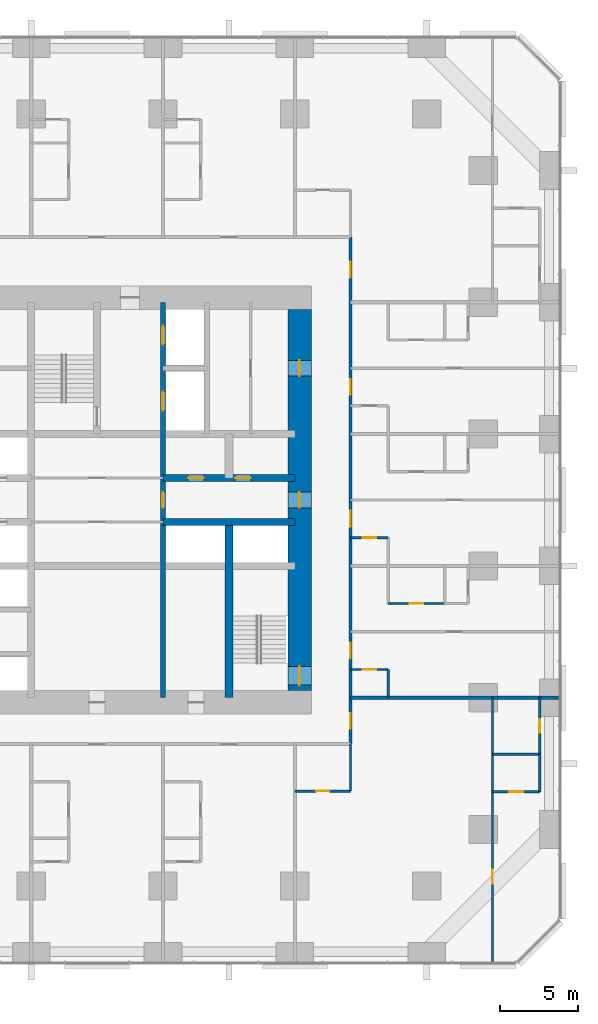
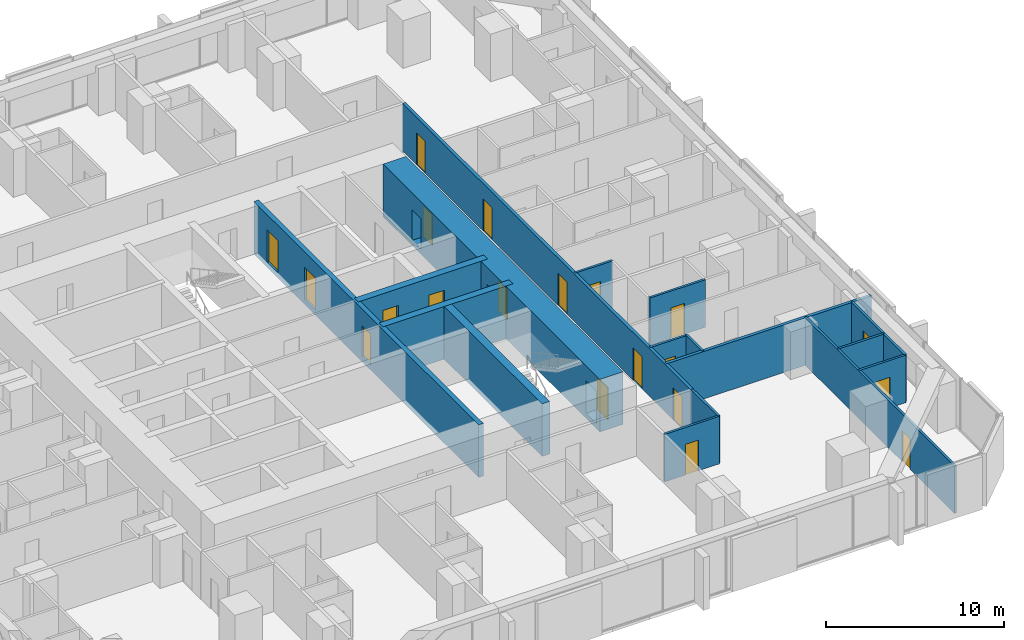
# One storey, part 13 of 17: 20 doors, 18 walls, 20 openings.
"""IFC4 building model written with IfcOpenShell, lengths in metres."""

from ifc_helpers import new_model, si_unit, direction, frame, frame_2d, origin, place, context, subcontext, project, spatial, rectangle, extrude, material, layer, layer_set, type_object, element, fill, save


model = new_model("IFC4")

# Units and contexts
model_context = context("Model", 3, precision=1e-05, world=origin(), true_north=direction((0.0, 1.0)))
body_context = subcontext(model_context, "Body", "Model", "MODEL_VIEW")
ifc_project = project(units=[si_unit("LENGTHUNIT", "METRE"), si_unit("AREAUNIT", "SQUARE_METRE"), si_unit("VOLUMEUNIT", "CUBIC_METRE"), si_unit("PLANEANGLEUNIT", "RADIAN"), si_unit("MASSUNIT", "GRAM", prefix="KILO")], contexts=[model_context])

# Site, building, storey
site_placement = place(None, origin())
site = spatial("IfcSite", under=ifc_project, at=site_placement, CompositionType="ELEMENT")
building_placement = place(site_placement, origin())
building = spatial("IfcBuilding", under=site, at=building_placement, Name="Dunama Terrace Hotel", CompositionType="ELEMENT")
storey_placement = place(building_placement, frame((0.0, 0.0, 59.39990234375)))
storey = spatial("IfcBuildingStorey", under=building, at=storey_placement, Name="L14", CompositionType="ELEMENT", Elevation=59.39990234375)

# Walls
ifc_material_1 = material(Name="Gypsum board partition", Category="masonry")
ifc_layer_1 = layer(ifc_material_1, 0.14990234375)
ifc_layer_set_1 = layer_set([ifc_layer_1], Name="Bathroom partition 150")
wall_type_1 = type_object("IfcWallType", Name="Bathroom partition 150", PredefinedType="PARTITIONING", material=ifc_layer_set_1)
wall_1_placement = place(storey_placement, frame((45.550048828125, 10.85009765625, 0.0), z_axis=(0.0, 0.0, 1.0), x_axis=(0.0, 1.0, 0.0)))
element("IfcWall", 1, at=wall_1_placement, inside=storey, type_object=wall_type_1, Name="Bathroom partition 150 L14", PredefinedType="PARTITIONING", context=body_context, shape_type="SweptSolid", body=[
    extrude(rectangle(XDim=3.0, YDim=0.14990234375, at=frame_2d((1.5, 0.0))), origin(), (0.0, 0.0, 1.0), 3.25),
])
wall_2_placement = place(storey_placement, frame((47.949951171875, 16.800048828125, 0.0), z_axis=(0.0, 0.0, 1.0), x_axis=(0.0, 1.0, 0.0)))
element("IfcWall", 2, at=wall_2_placement, inside=storey, type_object=wall_type_1, Name="Bathroom partition 150 L14", PredefinedType="PARTITIONING", context=body_context, shape_type="SweptSolid", body=[
    extrude(rectangle(XDim=1.800048828125, YDim=0.14990234375, at=frame_2d((0.89990234375, 0.0))), origin(), (0.0, 0.0, 1.0), 3.25),
])

# Wall, opening, door
wall_3_placement = place(storey_placement, frame((57.60009765625, 13.199951171875, 0.0), z_axis=(0.0, 0.0, 1.0), x_axis=(0.0, 1.0, 0.0)))
wall_3 = element("IfcWall", 3, at=wall_3_placement, inside=storey, type_object=wall_type_1, Name="Bathroom partition 150 L14", PredefinedType="PARTITIONING", context=body_context, shape_type="SweptSolid", body=[
    extrude(rectangle(XDim=3.60009765625, YDim=0.14990234375, at=frame_2d((1.800048828125, 0.0))), origin(), (0.0, 0.0, 1.0), 3.25),
])
opening_1_placement = place(wall_3_placement, frame((1.375, 0.0, 0.0)))
opening_1 = element("IfcOpeningElement", 4, at=opening_1_placement, cuts=wall_3, Name="Opening L13-14-065", PredefinedType="OPENING", context=body_context, shape_type="SweptSolid", body=[
    extrude(rectangle(XDim=0.85009765625, YDim=2.10009765625, at=frame_2d((0.425048828125, 1.050048828125))), frame((0.0, 0.0849609375, 0.0), z_axis=(0.0, -1.0, 0.0), x_axis=(1.0, 0.0, 0.0)), (0.0, 0.0, 1.0), 0.169921875),
])
ifc_material_2 = material(Name="Timber door with steel frame", Category="steel")
door_type_1 = type_object("IfcDoorType", Name="Bathroom door 850", OperationType="SINGLE_SWING_LEFT", PredefinedType="DOOR", material=ifc_material_2)
door_1_placement = place(opening_1_placement, origin())
door_1 = element("IfcDoor", 5, at=door_1_placement, inside=storey, type_object=door_type_1, Name="Door to en-suite bathroom L13-14-065, type D2", OperationType="SINGLE_SWING_RIGHT", OverallHeight=2.10009765625, OverallWidth=0.85009765625, PredefinedType="DOOR", context=body_context, shape_type="SweptSolid", body=[
    extrude(rectangle(XDim=0.85009765625, YDim=2.10009765625, at=frame_2d((0.425048828125, 1.050048828125))), frame((0.0, 0.02490234375, 0.0), z_axis=(0.0, -1.0, 0.0), x_axis=(1.0, 0.0, 0.0)), (0.0, 0.0, 1.0), 0.050048828125),
])
fill(opening_1, door_1)

wall_4_placement = place(storey_placement, frame((42.0, 10.85009765625, 0.0), z_axis=(0.0, 0.0, 1.0), x_axis=(1.0, 0.0, 0.0)))
wall_4 = element("IfcWall", 6, at=wall_4_placement, inside=storey, type_object=wall_type_1, Name="Bathroom partition 150 L14", PredefinedType="PARTITIONING", context=body_context, shape_type="SweptSolid", body=[
    extrude(rectangle(XDim=3.550048828125, YDim=0.14990234375, at=frame_2d((1.77490234375, 0.0))), origin(), (0.0, 0.0, 1.0), 3.25),
])
opening_2_placement = place(wall_4_placement, frame((1.35009765625, 0.0, 0.0)))
opening_2 = element("IfcOpeningElement", 7, at=opening_2_placement, cuts=wall_4, Name="Opening L13-14-063", PredefinedType="OPENING", context=body_context, shape_type="SweptSolid", body=[
    extrude(rectangle(XDim=0.85009765625, YDim=2.10009765625, at=frame_2d((0.425048828125, 1.050048828125))), frame((0.0, 0.0849609375, 0.0), z_axis=(0.0, -1.0, 0.0), x_axis=(1.0, 0.0, 0.0)), (0.0, 0.0, 1.0), 0.169921875),
])
door_2_placement = place(opening_2_placement, origin())
door_2 = element("IfcDoor", 8, at=door_2_placement, inside=storey, type_object=door_type_1, Name="Door to powder room L13-14-063, type D2", OperationType="SINGLE_SWING_LEFT", OverallHeight=2.10009765625, OverallWidth=0.85009765625, PredefinedType="DOOR", context=body_context, shape_type="SweptSolid", body=[
    extrude(rectangle(XDim=0.85009765625, YDim=2.10009765625, at=frame_2d((0.425048828125, 1.050048828125))), frame((0.0, 0.02490234375, 0.0), z_axis=(0.0, -1.0, 0.0), x_axis=(1.0, 0.0, 0.0)), (0.0, 0.0, 1.0), 0.050048828125),
])
fill(opening_2, door_2)

wall_5_placement = place(storey_placement, frame((45.550048828125, 18.60009765625, 0.0), z_axis=(0.0, 0.0, 1.0), x_axis=(1.0, 0.0, 0.0)))
wall_5 = element("IfcWall", 9, at=wall_5_placement, inside=storey, type_object=wall_type_1, Name="Bathroom partition 150 L14", PredefinedType="PARTITIONING", context=body_context, shape_type="SweptSolid", body=[
    extrude(rectangle(XDim=2.39990234375, YDim=0.14990234375, at=frame_2d((1.199951171875, 0.0))), origin(), (0.0, 0.0, 1.0), 3.25),
])
opening_3_placement = place(wall_5_placement, frame((0.77490234375, 0.0, 0.0)))
opening_3 = element("IfcOpeningElement", 10, at=opening_3_placement, cuts=wall_5, Name="Opening L13-14-019", PredefinedType="OPENING", context=body_context, shape_type="SweptSolid", body=[
    extrude(rectangle(XDim=0.85009765625, YDim=2.10009765625, at=frame_2d((0.425048828125, 1.050048828125))), frame((0.0, 0.0849609375, 0.0), z_axis=(0.0, -1.0, 0.0), x_axis=(1.0, 0.0, 0.0)), (0.0, 0.0, 1.0), 0.169921875),
])
door_3_placement = place(opening_3_placement, frame((0.85009765625, 0.0, 0.0), z_axis=(0.0, 0.0, 1.0), x_axis=(-1.0, 0.0, 0.0)))
door_3 = element("IfcDoor", 11, at=door_3_placement, inside=storey, type_object=door_type_1, Name="Door to powder room L13-14-019, type D2", OperationType="SINGLE_SWING_RIGHT", OverallHeight=2.10009765625, OverallWidth=0.85009765625, PredefinedType="DOOR", context=body_context, shape_type="SweptSolid", body=[
    extrude(rectangle(XDim=0.85009765625, YDim=2.10009765625, at=frame_2d((0.425048828125, 1.050048828125))), frame((0.0, 0.025146484375, 0.0), z_axis=(0.0, -1.0, 0.0), x_axis=(1.0, 0.0, 0.0)), (0.0, 0.0, 1.0), 0.050048828125),
])
fill(opening_3, door_3)

wall_6_placement = place(storey_placement, frame((47.949951171875, 22.800048828125, 0.0), z_axis=(0.0, 0.0, 1.0), x_axis=(1.0, 0.0, 0.0)))
wall_6 = element("IfcWall", 12, at=wall_6_placement, inside=storey, type_object=wall_type_1, Name="Bathroom partition 150 L14", PredefinedType="PARTITIONING", context=body_context, shape_type="SweptSolid", body=[
    extrude(rectangle(XDim=3.60009765625, YDim=0.14990234375, at=frame_2d((1.800048828125, 0.0))), origin(), (0.0, 0.0, 1.0), 3.25),
])
opening_4_placement = place(wall_6_placement, frame((1.375, 0.0, 0.0)))
opening_4 = element("IfcOpeningElement", 13, at=opening_4_placement, cuts=wall_6, Name="Opening L13-14-021", PredefinedType="OPENING", context=body_context, shape_type="SweptSolid", body=[
    extrude(rectangle(XDim=0.85009765625, YDim=2.10009765625, at=frame_2d((0.425048828125, 1.050048828125))), frame((0.0, 0.0849609375, 0.0), z_axis=(0.0, -1.0, 0.0), x_axis=(1.0, 0.0, 0.0)), (0.0, 0.0, 1.0), 0.169921875),
])
door_4_placement = place(opening_4_placement, origin())
door_4 = element("IfcDoor", 14, at=door_4_placement, inside=storey, type_object=door_type_1, Name="Door to en-suite bathroom L13-14-021, type D2", OperationType="SINGLE_SWING_RIGHT", OverallHeight=2.10009765625, OverallWidth=0.85009765625, PredefinedType="DOOR", context=body_context, shape_type="SweptSolid", body=[
    extrude(rectangle(XDim=0.85009765625, YDim=2.10009765625, at=frame_2d((0.425048828125, 1.050048828125))), frame((0.0, 0.02490234375, 0.0), z_axis=(0.0, -1.0, 0.0), x_axis=(1.0, 0.0, 0.0)), (0.0, 0.0, 1.0), 0.050048828125),
])
fill(opening_4, door_4)

wall_7_placement = place(storey_placement, frame((45.550048828125, 27.0, 0.0), z_axis=(0.0, 0.0, 1.0), x_axis=(1.0, 0.0, 0.0)))
wall_7 = element("IfcWall", 15, at=wall_7_placement, inside=storey, type_object=wall_type_1, Name="Bathroom partition 150 L14", PredefinedType="PARTITIONING", context=body_context, shape_type="SweptSolid", body=[
    extrude(rectangle(XDim=2.39990234375, YDim=0.14990234375, at=frame_2d((1.199951171875, 0.0))), origin(), (0.0, 0.0, 1.0), 3.25),
])
opening_5_placement = place(wall_7_placement, frame((0.77490234375, 0.0, 0.0)))
opening_5 = element("IfcOpeningElement", 16, at=opening_5_placement, cuts=wall_7, Name="Opening L13-14-024", PredefinedType="OPENING", context=body_context, shape_type="SweptSolid", body=[
    extrude(rectangle(XDim=0.85009765625, YDim=2.10009765625, at=frame_2d((0.425048828125, 1.050048828125))), frame((0.0, 0.0849609375, 0.0), z_axis=(0.0, -1.0, 0.0), x_axis=(1.0, 0.0, 0.0)), (0.0, 0.0, 1.0), 0.169921875),
])
door_5_placement = place(opening_5_placement, frame((0.85009765625, 0.0, 0.0), z_axis=(0.0, 0.0, 1.0), x_axis=(-1.0, 0.0, 0.0)))
door_5 = element("IfcDoor", 17, at=door_5_placement, inside=storey, type_object=door_type_1, Name="Door to powder room L13-14-024, type D2", OperationType="SINGLE_SWING_RIGHT", OverallHeight=2.10009765625, OverallWidth=0.85009765625, PredefinedType="DOOR", context=body_context, shape_type="SweptSolid", body=[
    extrude(rectangle(XDim=0.85009765625, YDim=2.10009765625, at=frame_2d((0.425048828125, 1.050048828125))), frame((0.0, 0.025146484375, 0.0), z_axis=(0.0, -1.0, 0.0), x_axis=(1.0, 0.0, 0.0)), (0.0, 0.0, 1.0), 0.050048828125),
])
fill(opening_5, door_5)

# Wall, openings, doors
ifc_material_3 = material(Name="Concrete C50/60", Category="concrete")
ifc_layer_2 = layer(ifc_material_3, 0.300048828125)
ifc_layer_set_2 = layer_set([ifc_layer_2], Name="Core inner wall 300")
wall_type_2 = type_object("IfcWallType", Name="Core inner wall 300", PredefinedType="SHEAR", material=ifc_layer_set_2)
wall_8_placement = place(storey_placement, frame((33.60009765625, 16.800048828125, -0.349853515625), z_axis=(0.0, 0.0, 1.0), x_axis=(0.0, 1.0, 0.0)))
wall_8 = element("IfcWall", 18, at=wall_8_placement, inside=storey, type_object=wall_type_2, Name="Core inner wall 300 L14", PredefinedType="SHEAR", context=body_context, shape_type="SweptSolid", body=[
    extrude(rectangle(XDim=25.199951171875, YDim=0.300048828125, at=frame_2d((12.60009765625, 0.0))), origin(), (0.0, 0.0, 1.0), 3.599853515625),
])
opening_6_placement = place(wall_8_placement, frame((22.5, 0.0, 0.35009765625)))
opening_6 = element("IfcOpeningElement", 19, at=opening_6_placement, cuts=wall_8, Name="Opening L13-14-007", PredefinedType="OPENING", context=body_context, shape_type="SweptSolid", body=[
    extrude(rectangle(XDim=1.199951171875, YDim=2.199951171875, at=frame_2d((0.60009765625, 1.10009765625))), frame((0.0, 0.159912109375, 0.0), z_axis=(0.0, -1.0, 0.0), x_axis=(1.0, 0.0, 0.0)), (0.0, 0.0, 1.0), 0.320068359375),
])
opening_7_placement = place(wall_8_placement, frame((18.300048828125, 0.0, 0.35009765625)))
opening_7 = element("IfcOpeningElement", 20, at=opening_7_placement, cuts=wall_8, Name="Opening L13-14-008", PredefinedType="OPENING", context=body_context, shape_type="SweptSolid", body=[
    extrude(rectangle(XDim=1.199951171875, YDim=2.199951171875, at=frame_2d((0.60009765625, 1.10009765625))), frame((0.0, 0.159912109375, 0.0), z_axis=(0.0, -1.0, 0.0), x_axis=(1.0, 0.0, 0.0)), (0.0, 0.0, 1.0), 0.320068359375),
])
opening_8_placement = place(wall_8_placement, frame((12.10009765625, 0.0, 0.35009765625)))
opening_8 = element("IfcOpeningElement", 21, at=opening_8_placement, cuts=wall_8, Name="Opening L13-14-081", PredefinedType="OPENING", context=body_context, shape_type="SweptSolid", body=[
    extrude(rectangle(XDim=1.0, YDim=2.10009765625, at=frame_2d((0.5, 1.050048828125))), frame((0.0, 0.159912109375, 0.0), z_axis=(0.0, -1.0, 0.0), x_axis=(1.0, 0.0, 0.0)), (0.0, 0.0, 1.0), 0.320068359375),
])
ifc_material_4 = material(Name="Stainless steel lift door", Category="steel")
door_type_2 = type_object("IfcDoorType", Name="Firefighting lift landing door 1200", OperationType="DOUBLE_DOOR_SLIDING", PredefinedType="DOOR", material=ifc_material_4)
door_6_placement = place(opening_6_placement, origin())
door_6 = element("IfcDoor", 22, at=door_6_placement, inside=storey, type_object=door_type_2, Name="Landing door FL1 L13-14-007, type LD2", OperationType="DOUBLE_DOOR_SLIDING", OverallHeight=2.199951171875, OverallWidth=1.199951171875, PredefinedType="DOOR", context=body_context, shape_type="SweptSolid", body=[
    extrude(rectangle(XDim=1.199951171875, YDim=2.199951171875, at=frame_2d((0.60009765625, 1.10009765625))), frame((0.0, 0.02490234375, 0.0), z_axis=(0.0, -1.0, 0.0), x_axis=(1.0, 0.0, 0.0)), (0.0, 0.0, 1.0), 0.050048828125),
])
fill(opening_6, door_6)
door_7_placement = place(opening_7_placement, origin())
door_7 = element("IfcDoor", 23, at=door_7_placement, inside=storey, type_object=door_type_2, Name="Landing door FL2 L13-14-008, type LD2", OperationType="DOUBLE_DOOR_SLIDING", OverallHeight=2.199951171875, OverallWidth=1.199951171875, PredefinedType="DOOR", context=body_context, shape_type="SweptSolid", body=[
    extrude(rectangle(XDim=1.199951171875, YDim=2.199951171875, at=frame_2d((0.60009765625, 1.10009765625))), frame((0.0, 0.02490234375, 0.0), z_axis=(0.0, -1.0, 0.0), x_axis=(1.0, 0.0, 0.0)), (0.0, 0.0, 1.0), 0.050048828125),
])
fill(opening_7, door_7)
ifc_material_5 = material(Name="Timber door with steel frame", Category="steel")
door_type_3 = type_object("IfcDoorType", Name="Service door 1000", OperationType="SINGLE_SWING_LEFT", PredefinedType="DOOR", material=ifc_material_5)
door_8_placement = place(opening_8_placement, origin())
door_8 = element("IfcDoor", 24, at=door_8_placement, inside=storey, type_object=door_type_3, Name="Door to staff passage L13-14-081, type D7", OperationType="SINGLE_SWING_LEFT", OverallHeight=2.10009765625, OverallWidth=1.0, PredefinedType="DOOR", context=body_context, shape_type="SweptSolid", body=[
    extrude(rectangle(XDim=1.0, YDim=2.10009765625, at=frame_2d((0.5, 1.050048828125))), frame((0.0, 0.02490234375, 0.0), z_axis=(0.0, -1.0, 0.0), x_axis=(1.0, 0.0, 0.0)), (0.0, 0.0, 1.0), 0.050048828125),
])
fill(opening_8, door_8)

# Wall
ifc_material_6 = material(Name="Concrete C50/60", Category="concrete")
ifc_layer_3 = layer(ifc_material_6, 0.449951171875)
ifc_layer_set_3 = layer_set([ifc_layer_3], Name="Core inner wall 450")
wall_type_3 = type_object("IfcWallType", Name="Core inner wall 450", PredefinedType="SHEAR", material=ifc_layer_set_3)
wall_9_placement = place(storey_placement, frame((33.60009765625, 28.0, -0.349853515625), z_axis=(0.0, 0.0, 1.0), x_axis=(1.0, 0.0, 0.0)))
element("IfcWall", 25, at=wall_9_placement, inside=storey, type_object=wall_type_3, Name="Core inner wall 450 L14", PredefinedType="SHEAR", context=body_context, shape_type="SweptSolid", body=[
    extrude(rectangle(XDim=8.39990234375, YDim=0.449951171875, at=frame_2d((4.199951171875, 0.0))), origin(), (0.0, 0.0, 1.0), 3.599853515625),
])

# Wall, openings, doors
wall_10_placement = place(storey_placement, frame((33.60009765625, 30.800048828125, -0.349853515625), z_axis=(0.0, 0.0, 1.0), x_axis=(1.0, 0.0, 0.0)))
wall_10 = element("IfcWall", 26, at=wall_10_placement, inside=storey, type_object=wall_type_3, Name="Core inner wall 450 L14", PredefinedType="SHEAR", context=body_context, shape_type="SweptSolid", body=[
    extrude(rectangle(XDim=8.39990234375, YDim=0.449951171875, at=frame_2d((4.199951171875, 0.0))), origin(), (0.0, 0.0, 1.0), 3.599853515625),
])
opening_9_placement = place(wall_10_placement, frame((1.60009765625, 0.0, 0.35009765625)))
opening_9 = element("IfcOpeningElement", 27, at=opening_9_placement, cuts=wall_10, Name="Opening L13-14-084", PredefinedType="OPENING", context=body_context, shape_type="SweptSolid", body=[
    extrude(rectangle(XDim=1.0, YDim=2.10009765625, at=frame_2d((0.5, 1.050048828125))), frame((0.0, 0.23486328125, 0.0), z_axis=(0.0, -1.0, 0.0), x_axis=(1.0, 0.0, 0.0)), (0.0, 0.0, 1.0), 0.469970703125),
])
opening_10_placement = place(wall_10_placement, frame((4.60009765625, 0.0, 0.35009765625)))
opening_10 = element("IfcOpeningElement", 28, at=opening_10_placement, cuts=wall_10, Name="Opening L13-14-085", PredefinedType="OPENING", context=body_context, shape_type="SweptSolid", body=[
    extrude(rectangle(XDim=1.0, YDim=2.10009765625, at=frame_2d((0.5, 1.050048828125))), frame((0.0, 0.23486328125, 0.0), z_axis=(0.0, -1.0, 0.0), x_axis=(1.0, 0.0, 0.0)), (0.0, 0.0, 1.0), 0.469970703125),
])
door_9_placement = place(opening_9_placement, origin())
door_9 = element("IfcDoor", 29, at=door_9_placement, inside=storey, type_object=door_type_3, Name="Door to service riser L13-14-084, type D7", OperationType="SINGLE_SWING_RIGHT", OverallHeight=2.10009765625, OverallWidth=1.0, PredefinedType="DOOR", context=body_context, shape_type="SweptSolid", body=[
    extrude(rectangle(XDim=1.0, YDim=2.10009765625, at=frame_2d((0.5, 1.050048828125))), frame((0.0, 0.02490234375, 0.0), z_axis=(0.0, -1.0, 0.0), x_axis=(1.0, 0.0, 0.0)), (0.0, 0.0, 1.0), 0.050048828125),
])
fill(opening_9, door_9)
door_10_placement = place(opening_10_placement, origin())
door_10 = element("IfcDoor", 30, at=door_10_placement, inside=storey, type_object=door_type_3, Name="Door to staff accessible wc L13-14-085, type D7", OperationType="SINGLE_SWING_LEFT", OverallHeight=2.10009765625, OverallWidth=1.0, PredefinedType="DOOR", context=body_context, shape_type="SweptSolid", body=[
    extrude(rectangle(XDim=1.0, YDim=2.10009765625, at=frame_2d((0.5, 1.050048828125))), frame((0.0, 0.02490234375, 0.0), z_axis=(0.0, -1.0, 0.0), x_axis=(1.0, 0.0, 0.0)), (0.0, 0.0, 1.0), 0.050048828125),
])
fill(opening_10, door_10)

# Wall
ifc_material_7 = material(Name="Concrete C50/60", Category="concrete")
ifc_layer_4 = layer(ifc_material_7, 0.5)
ifc_layer_set_4 = layer_set([ifc_layer_4], Name="Core inner wall 500")
wall_type_4 = type_object("IfcWallType", Name="Core inner wall 500", PredefinedType="SHEAR", material=ifc_layer_set_4)
wall_11_placement = place(storey_placement, frame((37.800048828125, 16.800048828125, -0.349853515625), z_axis=(0.0, 0.0, 1.0), x_axis=(0.0, 1.0, 0.0)))
element("IfcWall", 31, at=wall_11_placement, inside=storey, type_object=wall_type_4, Name="Core inner wall 500 L14", PredefinedType="SHEAR", context=body_context, shape_type="SweptSolid", body=[
    extrude(rectangle(XDim=11.199951171875, YDim=0.5, at=frame_2d((5.60009765625, 0.0))), origin(), (0.0, 0.0, 1.0), 3.599853515625),
])

# Wall, openings, doors
ifc_material_8 = material(Name="Concrete C60/75", Category="concrete")
ifc_layer_5 = layer(ifc_material_8, 1.5)
ifc_layer_set_5 = layer_set([ifc_layer_5], Name="Core wall 1500")
wall_type_5 = type_object("IfcWallType", Name="Core wall 1500", PredefinedType="SHEAR", material=ifc_layer_set_5)
wall_12_placement = place(storey_placement, frame((42.300048828125, 17.25, -0.349853515625), z_axis=(0.0, 0.0, 1.0), x_axis=(0.0, 1.0, 0.0)))
wall_12 = element("IfcWall", 32, at=wall_12_placement, inside=storey, type_object=wall_type_5, Name="Core wall east L14", PredefinedType="SHEAR", context=body_context, shape_type="SweptSolid", body=[
    extrude(rectangle(XDim=24.300048828125, YDim=1.5, at=frame_2d((12.14990234375, 0.0))), origin(), (0.0, 0.0, 1.0), 3.599853515625),
])
opening_11_placement = place(wall_12_placement, frame((0.35009765625, 0.0, 0.35009765625)))
opening_11 = element("IfcOpeningElement", 33, at=opening_11_placement, cuts=wall_12, Name="Opening L13-14-002", PredefinedType="OPENING", context=body_context, shape_type="SweptSolid", body=[
    extrude(rectangle(XDim=1.199951171875, YDim=2.199951171875, at=frame_2d((0.60009765625, 1.10009765625))), frame((0.0, 0.760009765625, 0.0), z_axis=(0.0, -1.0, 0.0), x_axis=(1.0, 0.0, 0.0)), (0.0, 0.0, 1.0), 1.52001953125),
])
opening_12_placement = place(wall_12_placement, frame((11.64990234375, 0.0, 0.35009765625)))
opening_12 = element("IfcOpeningElement", 34, at=opening_12_placement, cuts=wall_12, Name="Opening L13-14-086", PredefinedType="OPENING", context=body_context, shape_type="SweptSolid", body=[
    extrude(rectangle(XDim=1.0, YDim=2.10009765625, at=frame_2d((0.5, 1.050048828125))), frame((0.0, 0.760009765625, 0.0), z_axis=(0.0, -1.0, 0.0), x_axis=(1.0, 0.0, 0.0)), (0.0, 0.0, 1.0), 1.52001953125),
])
opening_13_placement = place(wall_12_placement, frame((20.050048828125, 0.0, 0.35009765625)))
opening_13 = element("IfcOpeningElement", 35, at=opening_13_placement, cuts=wall_12, Name="Opening L13-14-088", PredefinedType="OPENING", context=body_context, shape_type="SweptSolid", body=[
    extrude(rectangle(XDim=1.0, YDim=2.10009765625, at=frame_2d((0.5, 1.050048828125))), frame((0.0, 0.760009765625, 0.0), z_axis=(0.0, -1.0, 0.0), x_axis=(1.0, 0.0, 0.0)), (0.0, 0.0, 1.0), 1.52001953125),
])
door_11_placement = place(opening_12_placement, origin())
door_11 = element("IfcDoor", 36, at=door_11_placement, inside=storey, type_object=door_type_3, Name="Door to service lobby L13-14-086, type D7", OperationType="SINGLE_SWING_LEFT", OverallHeight=2.10009765625, OverallWidth=1.0, PredefinedType="DOOR", context=body_context, shape_type="SweptSolid", body=[
    extrude(rectangle(XDim=1.0, YDim=2.10009765625, at=frame_2d((0.5, 1.050048828125))), frame((0.0, 0.02490234375, 0.0), z_axis=(0.0, -1.0, 0.0), x_axis=(1.0, 0.0, 0.0)), (0.0, 0.0, 1.0), 0.050048828125),
])
fill(opening_12, door_11)
door_12_placement = place(opening_13_placement, origin())
door_12 = element("IfcDoor", 37, at=door_12_placement, inside=storey, type_object=door_type_3, Name="Door to guest pantry L13-14-088, type D7", OperationType="SINGLE_SWING_LEFT", OverallHeight=2.10009765625, OverallWidth=1.0, PredefinedType="DOOR", context=body_context, shape_type="SweptSolid", body=[
    extrude(rectangle(XDim=1.0, YDim=2.10009765625, at=frame_2d((0.5, 1.050048828125))), frame((0.0, 0.02490234375, 0.0), z_axis=(0.0, -1.0, 0.0), x_axis=(1.0, 0.0, 0.0)), (0.0, 0.0, 1.0), 0.050048828125),
])
fill(opening_13, door_12)
ifc_material_9 = material(Name="Timber door with steel frame", Category="steel")
door_type_4 = type_object("IfcDoorType", Name="Stair door 1200", OperationType="SINGLE_SWING_LEFT", PredefinedType="DOOR", material=ifc_material_9)
door_13_placement = place(opening_11_placement, origin())
door_13 = element("IfcDoor", 38, at=door_13_placement, inside=storey, type_object=door_type_4, Name="Stair door ST2 L13-14-002, type D5", OperationType="SINGLE_SWING_LEFT", OverallHeight=2.199951171875, OverallWidth=1.199951171875, PredefinedType="DOOR", context=body_context, shape_type="SweptSolid", body=[
    extrude(rectangle(XDim=1.199951171875, YDim=2.199951171875, at=frame_2d((0.60009765625, 1.10009765625))), frame((0.0, 0.02490234375, 0.0), z_axis=(0.0, -1.0, 0.0), x_axis=(1.0, 0.0, 0.0)), (0.0, 0.0, 1.0), 0.050048828125),
])
fill(opening_11, door_13)

ifc_material_10 = material(Name="Concrete blockwork", Category="masonry")
ifc_layer_6 = layer(ifc_material_10, 0.199951171875)
ifc_layer_set_6 = layer_set([ifc_layer_6], Name="Corridor partition 200")
wall_type_6 = type_object("IfcWallType", Name="Corridor partition 200", PredefinedType="PARTITIONING", material=ifc_layer_set_6)
wall_13_placement = place(storey_placement, frame((45.550048828125, 46.14990234375, 0.0), z_axis=(0.0, 0.0, 1.0), x_axis=(0.0, -1.0, 0.0)))
wall_13 = element("IfcWall", 39, at=wall_13_placement, inside=storey, type_object=wall_type_6, Name="Corridor partition 200 L14", PredefinedType="PARTITIONING", context=body_context, shape_type="SweptSolid", body=[
    extrude(rectangle(XDim=32.2998046875, YDim=0.199951171875, at=frame_2d((16.14990234375, 0.0))), origin(), (0.0, 0.0, 1.0), 3.25),
])
opening_14_placement = place(wall_13_placement, frame((25.85009765625, 0.0, 0.0)))
opening_14 = element("IfcOpeningElement", 40, at=opening_14_placement, cuts=wall_13, Name="Opening L13-14-018", PredefinedType="OPENING", context=body_context, shape_type="SweptSolid", body=[
    extrude(rectangle(XDim=1.0, YDim=2.199951171875, at=frame_2d((0.5, 1.10009765625))), frame((0.0, 0.10986328125, 0.0), z_axis=(0.0, -1.0, 0.0), x_axis=(1.0, 0.0, 0.0)), (0.0, 0.0, 1.0), 0.219970703125),
])
opening_15_placement = place(wall_13_placement, frame((17.449951171875, 0.0, 0.0)))
opening_15 = element("IfcOpeningElement", 41, at=opening_15_placement, cuts=wall_13, Name="Opening L13-14-023", PredefinedType="OPENING", context=body_context, shape_type="SweptSolid", body=[
    extrude(rectangle(XDim=1.0, YDim=2.199951171875, at=frame_2d((0.5, 1.10009765625))), frame((0.0, 0.10986328125, 0.0), z_axis=(0.0, -1.0, 0.0), x_axis=(1.0, 0.0, 0.0)), (0.0, 0.0, 1.0), 0.219970703125),
])
opening_16_placement = place(wall_13_placement, frame((9.050048828125, 0.0, 0.0)))
opening_16 = element("IfcOpeningElement", 42, at=opening_16_placement, cuts=wall_13, Name="Opening L13-14-028", PredefinedType="OPENING", context=body_context, shape_type="SweptSolid", body=[
    extrude(rectangle(XDim=1.0, YDim=2.199951171875, at=frame_2d((0.5, 1.10009765625))), frame((0.0, 0.10986328125, 0.0), z_axis=(0.0, -1.0, 0.0), x_axis=(1.0, 0.0, 0.0)), (0.0, 0.0, 1.0), 0.219970703125),
])
opening_17_placement = place(wall_13_placement, frame((30.324951171875, 0.0, 0.0)))
opening_17 = element("IfcOpeningElement", 43, at=opening_17_placement, cuts=wall_13, Name="Opening L13-14-062", PredefinedType="OPENING", context=body_context, shape_type="SweptSolid", body=[
    extrude(rectangle(XDim=1.0, YDim=2.199951171875, at=frame_2d((0.5, 1.10009765625))), frame((0.0, 0.10986328125, 0.0), z_axis=(0.0, -1.0, 0.0), x_axis=(1.0, 0.0, 0.0)), (0.0, 0.0, 1.0), 0.219970703125),
])
opening_18_placement = place(wall_13_placement, frame((1.574951171875, 0.0, 0.0)))
opening_18 = element("IfcOpeningElement", 44, at=opening_18_placement, cuts=wall_13, Name="Opening L13-14-067", PredefinedType="OPENING", context=body_context, shape_type="SweptSolid", body=[
    extrude(rectangle(XDim=1.0, YDim=2.199951171875, at=frame_2d((0.5, 1.10009765625))), frame((0.0, 0.10986328125, 0.0), z_axis=(0.0, -1.0, 0.0), x_axis=(1.0, 0.0, 0.0)), (0.0, 0.0, 1.0), 0.219970703125),
])
ifc_material_11 = material(Name="Timber door with steel frame", Category="steel")
door_type_5 = type_object("IfcDoorType", Name="Guest room door 1000", OperationType="SINGLE_SWING_LEFT", PredefinedType="DOOR", material=ifc_material_11)
door_14_placement = place(opening_14_placement, origin())
door_14 = element("IfcDoor", 45, at=door_14_placement, inside=storey, type_object=door_type_5, Name="Door to executive suite living room L13-14-018, type D1", OperationType="SINGLE_SWING_RIGHT", OverallHeight=2.199951171875, OverallWidth=1.0, PredefinedType="DOOR", context=body_context, shape_type="SweptSolid", body=[
    extrude(rectangle(XDim=1.0, YDim=2.199951171875, at=frame_2d((0.5, 1.10009765625))), frame((0.0, 0.02490234375, 0.0), z_axis=(0.0, -1.0, 0.0), x_axis=(1.0, 0.0, 0.0)), (0.0, 0.0, 1.0), 0.050048828125),
])
fill(opening_14, door_14)
door_15_placement = place(opening_15_placement, origin())
door_15 = element("IfcDoor", 46, at=door_15_placement, inside=storey, type_object=door_type_5, Name="Door to executive suite living room L13-14-023, type D1", OperationType="SINGLE_SWING_LEFT", OverallHeight=2.199951171875, OverallWidth=1.0, PredefinedType="DOOR", context=body_context, shape_type="SweptSolid", body=[
    extrude(rectangle(XDim=1.0, YDim=2.199951171875, at=frame_2d((0.5, 1.10009765625))), frame((0.0, 0.02490234375, 0.0), z_axis=(0.0, -1.0, 0.0), x_axis=(1.0, 0.0, 0.0)), (0.0, 0.0, 1.0), 0.050048828125),
])
fill(opening_15, door_15)
door_16_placement = place(opening_16_placement, origin())
door_16 = element("IfcDoor", 47, at=door_16_placement, inside=storey, type_object=door_type_5, Name="Door to executive suite living room L13-14-028, type D1", OperationType="SINGLE_SWING_RIGHT", OverallHeight=2.199951171875, OverallWidth=1.0, PredefinedType="DOOR", context=body_context, shape_type="SweptSolid", body=[
    extrude(rectangle(XDim=1.0, YDim=2.199951171875, at=frame_2d((0.5, 1.10009765625))), frame((0.0, 0.02490234375, 0.0), z_axis=(0.0, -1.0, 0.0), x_axis=(1.0, 0.0, 0.0)), (0.0, 0.0, 1.0), 0.050048828125),
])
fill(opening_16, door_16)
door_17_placement = place(opening_17_placement, origin())
door_17 = element("IfcDoor", 48, at=door_17_placement, inside=storey, type_object=door_type_5, Name="Door to corner suite living room L13-14-062, type D1", OperationType="SINGLE_SWING_LEFT", OverallHeight=2.199951171875, OverallWidth=1.0, PredefinedType="DOOR", context=body_context, shape_type="SweptSolid", body=[
    extrude(rectangle(XDim=1.0, YDim=2.199951171875, at=frame_2d((0.5, 1.10009765625))), frame((0.0, 0.02490234375, 0.0), z_axis=(0.0, -1.0, 0.0), x_axis=(1.0, 0.0, 0.0)), (0.0, 0.0, 1.0), 0.050048828125),
])
fill(opening_17, door_17)
door_18_placement = place(opening_18_placement, origin())
door_18 = element("IfcDoor", 49, at=door_18_placement, inside=storey, type_object=door_type_5, Name="Door to corner suite living room L13-14-067, type D1", OperationType="SINGLE_SWING_RIGHT", OverallHeight=2.199951171875, OverallWidth=1.0, PredefinedType="DOOR", context=body_context, shape_type="SweptSolid", body=[
    extrude(rectangle(XDim=1.0, YDim=2.199951171875, at=frame_2d((0.5, 1.10009765625))), frame((0.0, 0.02490234375, 0.0), z_axis=(0.0, -1.0, 0.0), x_axis=(1.0, 0.0, 0.0)), (0.0, 0.0, 1.0), 0.050048828125),
])
fill(opening_18, door_18)

# Wall
ifc_material_12 = material(Name="Concrete blockwork", Category="masonry")
ifc_layer_7 = layer(ifc_material_12, 0.199951171875)
ifc_layer_set_7 = layer_set([ifc_layer_7], Name="Party wall 200")
wall_type_7 = type_object("IfcWallType", Name="Party wall 200", PredefinedType="PARTITIONING", material=ifc_layer_set_7)
wall_14_placement = place(storey_placement, frame((45.550048828125, 16.800048828125, 0.0), z_axis=(0.0, 0.0, 1.0), x_axis=(1.0, 0.0, 0.0)))
element("IfcWall", 50, at=wall_14_placement, inside=storey, type_object=wall_type_7, Name="Party wall 200 L14", PredefinedType="PARTITIONING", context=body_context, shape_type="SweptSolid", body=[
    extrude(rectangle(XDim=13.258056640625, YDim=0.199951171875, at=frame_2d((6.62890625, 0.0))), origin(), (0.0, 0.0, 1.0), 3.25),
])

# Wall, opening, door
ifc_material_13 = material(Name="Gypsum board partition", Category="masonry")
ifc_layer_8 = layer(ifc_material_13, 0.14990234375)
ifc_layer_set_8 = layer_set([ifc_layer_8], Name="Room partition 150")
wall_type_8 = type_object("IfcWallType", Name="Room partition 150", PredefinedType="PARTITIONING", material=ifc_layer_set_8)
wall_15_placement = place(storey_placement, frame((54.60009765625, -0.008056640625, 0.0), z_axis=(0.0, 0.0, 1.0), x_axis=(0.0, 1.0, 0.0)))
wall_15 = element("IfcWall", 51, at=wall_15_placement, inside=storey, type_object=wall_type_8, Name="Room partition 150 L14", PredefinedType="PARTITIONING", context=body_context, shape_type="SweptSolid", body=[
    extrude(rectangle(XDim=16.80810546875, YDim=0.14990234375, at=frame_2d((8.404052734375, 0.0))), origin(), (0.0, 0.0, 1.0), 3.25),
])
opening_19_placement = place(wall_15_placement, frame((4.9580078125, 0.0, 0.0)))
opening_19 = element("IfcOpeningElement", 52, at=opening_19_placement, cuts=wall_15, Name="Opening L13-14-064", PredefinedType="OPENING", context=body_context, shape_type="SweptSolid", body=[
    extrude(rectangle(XDim=0.89990234375, YDim=2.10009765625, at=frame_2d((0.449951171875, 1.050048828125))), frame((0.0, 0.0849609375, 0.0), z_axis=(0.0, -1.0, 0.0), x_axis=(1.0, 0.0, 0.0)), (0.0, 0.0, 1.0), 0.169921875),
])
ifc_material_14 = material(Name="Timber door with steel frame", Category="steel")
door_type_6 = type_object("IfcDoorType", Name="Suite internal door 900", OperationType="SINGLE_SWING_LEFT", PredefinedType="DOOR", material=ifc_material_14)
door_19_placement = place(opening_19_placement, frame((0.89990234375, 0.0, 0.0), z_axis=(0.0, 0.0, 1.0), x_axis=(-1.0, 0.0, 0.0)))
door_19 = element("IfcDoor", 53, at=door_19_placement, inside=storey, type_object=door_type_6, Name="Door to corner suite bedroom L13-14-064, type D16", OperationType="SINGLE_SWING_LEFT", OverallHeight=2.10009765625, OverallWidth=0.89990234375, PredefinedType="DOOR", context=body_context, shape_type="SweptSolid", body=[
    extrude(rectangle(XDim=0.89990234375, YDim=2.10009765625, at=frame_2d((0.449951171875, 1.050048828125))), frame((0.0, 0.025146484375, 0.0), z_axis=(0.0, -1.0, 0.0), x_axis=(1.0, 0.0, 0.0)), (0.0, 0.0, 1.0), 0.050048828125),
])
fill(opening_19, door_19)

# Wall
wall_16_placement = place(storey_placement, frame((57.60009765625, 10.800048828125, 0.0), z_axis=(0.0, 0.0, 1.0), x_axis=(0.0, 1.0, 0.0)))
element("IfcWall", 54, at=wall_16_placement, inside=storey, type_object=wall_type_8, Name="Room partition 150 L14", PredefinedType="PARTITIONING", context=body_context, shape_type="SweptSolid", body=[
    extrude(rectangle(XDim=2.39990234375, YDim=0.14990234375, at=frame_2d((1.199951171875, 0.0))), origin(), (0.0, 0.0, 1.0), 3.25),
])

# Wall, opening, door
wall_17_placement = place(storey_placement, frame((54.60009765625, 10.800048828125, 0.0), z_axis=(0.0, 0.0, 1.0), x_axis=(1.0, 0.0, 0.0)))
wall_17 = element("IfcWall", 55, at=wall_17_placement, inside=storey, type_object=wall_type_8, Name="Room partition 150 L14", PredefinedType="PARTITIONING", context=body_context, shape_type="SweptSolid", body=[
    extrude(rectangle(XDim=3.0, YDim=0.14990234375, at=frame_2d((1.5, 0.0))), origin(), (0.0, 0.0, 1.0), 3.25),
])
opening_20_placement = place(wall_17_placement, frame((1.050048828125, 0.0, 0.0)))
opening_20 = element("IfcOpeningElement", 56, at=opening_20_placement, cuts=wall_17, Name="Opening L13-14-066", PredefinedType="OPENING", context=body_context, shape_type="SweptSolid", body=[
    extrude(rectangle(XDim=0.89990234375, YDim=2.10009765625, at=frame_2d((0.449951171875, 1.050048828125))), frame((0.0, 0.0849609375, 0.0), z_axis=(0.0, -1.0, 0.0), x_axis=(1.0, 0.0, 0.0)), (0.0, 0.0, 1.0), 0.169921875),
])
door_20_placement = place(opening_20_placement, origin())
door_20 = element("IfcDoor", 57, at=door_20_placement, inside=storey, type_object=door_type_6, Name="Door to dressing room L13-14-066, type D16", OperationType="SINGLE_SWING_LEFT", OverallHeight=2.10009765625, OverallWidth=0.89990234375, PredefinedType="DOOR", context=body_context, shape_type="SweptSolid", body=[
    extrude(rectangle(XDim=0.89990234375, YDim=2.10009765625, at=frame_2d((0.449951171875, 1.050048828125))), frame((0.0, 0.02490234375, 0.0), z_axis=(0.0, -1.0, 0.0), x_axis=(1.0, 0.0, 0.0)), (0.0, 0.0, 1.0), 0.050048828125),
])
fill(opening_20, door_20)

# Wall
wall_18_placement = place(storey_placement, frame((54.60009765625, 13.199951171875, 0.0), z_axis=(0.0, 0.0, 1.0), x_axis=(1.0, 0.0, 0.0)))
element("IfcWall", 58, at=wall_18_placement, inside=storey, type_object=wall_type_8, Name="Room partition 150 L14", PredefinedType="PARTITIONING", context=body_context, shape_type="SweptSolid", body=[
    extrude(rectangle(XDim=3.0, YDim=0.14990234375, at=frame_2d((1.5, 0.0))), origin(), (0.0, 0.0, 1.0), 3.25),
])

save(model, "model.ifc")
